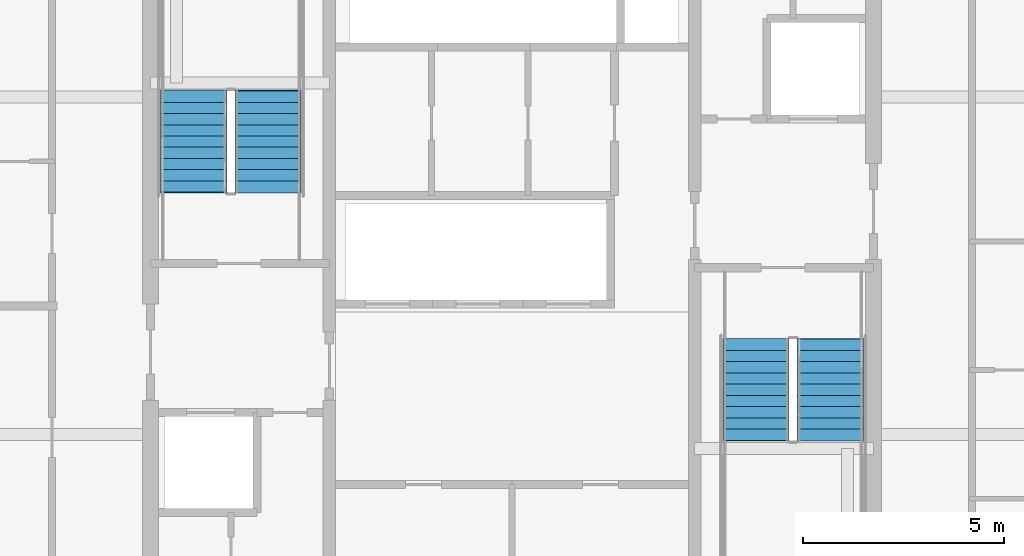
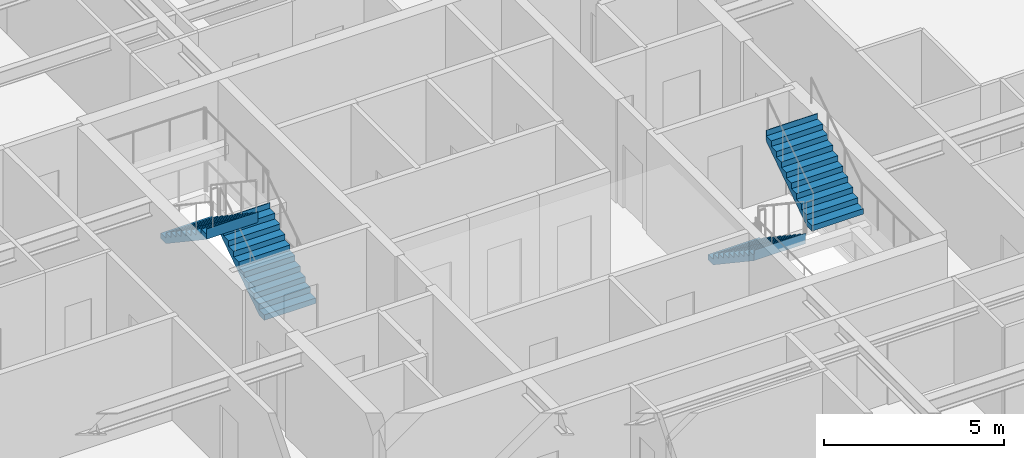
# One storey, part 33 of 38: 4 stair flights, 2 elements without a shape of their own.
"""IFC4 building model written with IfcOpenShell, lengths in metres."""

from ifc_helpers import new_model, si_unit, direction, frame, origin, place, context, subcontext, project, spatial, polygons, material, type_object, element, aggregate, save


model = new_model("IFC4")

# Units and contexts
model_context = context("Model", 3, precision=1e-05, world=origin(), true_north=direction((0.0, 1.0)))
body_context = subcontext(model_context, "Body", "Model", "MODEL_VIEW")
ifc_project = project(units=[si_unit("LENGTHUNIT", "METRE"), si_unit("AREAUNIT", "SQUARE_METRE"), si_unit("VOLUMEUNIT", "CUBIC_METRE"), si_unit("PLANEANGLEUNIT", "RADIAN"), si_unit("MASSUNIT", "GRAM", prefix="KILO")], contexts=[model_context])

# Site, building, storey
site_placement = place(None, origin())
site = spatial("IfcSite", under=ifc_project, at=site_placement, CompositionType="ELEMENT")
building_placement = place(site_placement, origin())
building = spatial("IfcBuilding", under=site, at=building_placement, Name="Serunith Strait Residences", CompositionType="ELEMENT")
storey_placement = place(building_placement, frame((0.0, 0.0, 176.39990234375)))
storey = spatial("IfcBuildingStorey", under=building, at=storey_placement, Name="L44", CompositionType="ELEMENT", Elevation=176.39990234375)

# Stair, stair flights
ifc_material = material(Name="Concrete C50/60", Category="concrete")
stair_type_1 = type_object("IfcStairType", Name="STR-CORE-1", PredefinedType="HALF_TURN_STAIR", material=ifc_material)
stair_1_placement = place(storey_placement, origin())
stair_1 = element("IfcStair", 1, at=stair_1_placement, inside=storey, type_object=stair_type_1, Name="L44 Protected Escape Stair ST-1", PredefinedType="HALF_TURN_STAIR")
stair_flight_type_1 = type_object("IfcStairFlightType", Name="FLT-CORE-1", PredefinedType="STRAIGHT", material=ifc_material)
stair_flight_1_placement = place(storey_placement, frame((26.324951171875, 27.030029296875, 0.0), z_axis=(0.0, 0.0, 1.0), x_axis=(0.0, 1.0, 0.0)))
stair_flight_1 = element("IfcStairFlight", 2, at=stair_flight_1_placement, type_object=stair_flight_type_1, Name="ST-1 flight 1", NumberOfRisers=10, NumberOfTreads=9, PredefinedType="STRAIGHT", RiserHeight=0.1875, TreadLength=0.28, context=body_context, shape_type="Tessellation", body=[
    polygons([(-0.02001953125, -0.824951171875, 0.0), (-0.02001953125, -0.824951171875, 0.1875), (0.280029296875, -0.824951171875, 0.1875), (0.280029296875, -0.824951171875, 0.375), (0.56005859375, -0.824951171875, 0.375), (0.56005859375, -0.824951171875, 0.5625), (0.840087890625, -0.824951171875, 0.5625), (0.840087890625, -0.824951171875, 0.75), (1.1201171875, -0.824951171875, 0.75), (1.1201171875, -0.824951171875, 0.9375), (1.39990234375, -0.824951171875, 0.9375), (1.39990234375, -0.824951171875, 1.125), (1.679931640625, -0.824951171875, 1.125), (1.679931640625, -0.824951171875, 1.3125), (1.9599609375, -0.824951171875, 1.3125), (1.9599609375, -0.824951171875, 1.5), (2.239990234375, -0.824951171875, 1.5), (2.239990234375, -0.824951171875, 1.6875), (2.52001953125, -0.824951171875, 1.6875), (2.52001953125, -0.824951171875, 1.875), (2.5400390625, -0.824951171875, 1.875), (2.5400390625, -0.824951171875, 1.81494140625), (2.52001953125, -0.824951171875, 1.507080078125), (0.26953125, -0.824951171875, 0.0), (-0.02001953125, -0.41259765625, 0.0), (-0.02001953125, -0.41259765625, 0.1875), (0.280029296875, -0.41259765625, 0.1875), (0.280029296875, -0.41259765625, 0.375), (0.56005859375, -0.41259765625, 0.375), (0.56005859375, -0.41259765625, 0.5625), (0.840087890625, -0.41259765625, 0.5625), (0.840087890625, -0.41259765625, 0.75), (1.1201171875, -0.41259765625, 0.75), (1.1201171875, -0.41259765625, 0.9375), (1.39990234375, -0.41259765625, 0.9375), (1.39990234375, -0.41259765625, 1.125), (1.679931640625, -0.41259765625, 1.125), (1.679931640625, -0.41259765625, 1.3125), (1.9599609375, -0.41259765625, 1.3125), (1.9599609375, -0.41259765625, 1.5), (2.239990234375, -0.41259765625, 1.5), (2.239990234375, -0.41259765625, 1.6875), (2.52001953125, -0.41259765625, 1.6875), (2.52001953125, -0.41259765625, 1.875), (2.5400390625, -0.41259765625, 1.875), (2.5400390625, -0.41259765625, 1.81494140625), (2.52001953125, -0.41259765625, 1.507080078125), (0.26953125, -0.41259765625, 0.0), (-0.02001953125, 0.0, 0.0), (-0.02001953125, 0.0, 0.1875), (0.280029296875, 0.0, 0.1875), (0.280029296875, 0.0, 0.375), (0.56005859375, 0.0, 0.375), (0.56005859375, 0.0, 0.5625), (0.840087890625, 0.0, 0.5625), (0.840087890625, 0.0, 0.75), (1.1201171875, 0.0, 0.75), (1.1201171875, 0.0, 0.9375), (1.39990234375, 0.0, 0.9375), (1.39990234375, 0.0, 1.125), (1.679931640625, 0.0, 1.125), (1.679931640625, 0.0, 1.3125), (1.9599609375, 0.0, 1.3125), (1.9599609375, 0.0, 1.5), (2.239990234375, 0.0, 1.5), (2.239990234375, 0.0, 1.6875), (2.52001953125, 0.0, 1.6875), (2.52001953125, 0.0, 1.875), (2.5400390625, 0.0, 1.875), (2.5400390625, 0.0, 1.81494140625), (2.52001953125, 0.0, 1.507080078125), (0.26953125, 0.0, 0.0), (-0.02001953125, 0.41259765625, 0.0), (-0.02001953125, 0.41259765625, 0.1875), (0.280029296875, 0.41259765625, 0.1875), (0.280029296875, 0.41259765625, 0.375), (0.56005859375, 0.41259765625, 0.375), (0.56005859375, 0.41259765625, 0.5625), (0.840087890625, 0.41259765625, 0.5625), (0.840087890625, 0.41259765625, 0.75), (1.1201171875, 0.41259765625, 0.75), (1.1201171875, 0.41259765625, 0.9375), (1.39990234375, 0.41259765625, 0.9375), (1.39990234375, 0.41259765625, 1.125), (1.679931640625, 0.41259765625, 1.125), (1.679931640625, 0.41259765625, 1.3125), (1.9599609375, 0.41259765625, 1.3125), (1.9599609375, 0.41259765625, 1.5), (2.239990234375, 0.41259765625, 1.5), (2.239990234375, 0.41259765625, 1.6875), (2.52001953125, 0.41259765625, 1.6875), (2.52001953125, 0.41259765625, 1.875), (2.5400390625, 0.41259765625, 1.875), (2.5400390625, 0.41259765625, 1.81494140625), (2.52001953125, 0.41259765625, 1.507080078125), (0.26953125, 0.41259765625, 0.0), (-0.02001953125, 0.824951171875, 0.0), (-0.02001953125, 0.824951171875, 0.1875), (0.280029296875, 0.824951171875, 0.1875), (0.280029296875, 0.824951171875, 0.375), (0.56005859375, 0.824951171875, 0.375), (0.56005859375, 0.824951171875, 0.5625), (0.840087890625, 0.824951171875, 0.5625), (0.840087890625, 0.824951171875, 0.75), (1.1201171875, 0.824951171875, 0.75), (1.1201171875, 0.824951171875, 0.9375), (1.39990234375, 0.824951171875, 0.9375), (1.39990234375, 0.824951171875, 1.125), (1.679931640625, 0.824951171875, 1.125), (1.679931640625, 0.824951171875, 1.3125), (1.9599609375, 0.824951171875, 1.3125), (1.9599609375, 0.824951171875, 1.5), (2.239990234375, 0.824951171875, 1.5), (2.239990234375, 0.824951171875, 1.6875), (2.52001953125, 0.824951171875, 1.6875), (2.52001953125, 0.824951171875, 1.875), (2.5400390625, 0.824951171875, 1.875), (2.5400390625, 0.824951171875, 1.81494140625), (2.52001953125, 0.824951171875, 1.507080078125), (0.26953125, 0.824951171875, 0.0)], [[[1, 2, 26, 25]], [[2, 3, 27, 26]], [[3, 4, 28, 27]], [[4, 5, 29, 28]], [[5, 6, 30, 29]], [[6, 7, 31, 30]], [[7, 8, 32, 31]], [[8, 9, 33, 32]], [[9, 10, 34, 33]], [[10, 11, 35, 34]], [[11, 12, 36, 35]], [[12, 13, 37, 36]], [[13, 14, 38, 37]], [[14, 15, 39, 38]], [[15, 16, 40, 39]], [[16, 17, 41, 40]], [[17, 18, 42, 41]], [[18, 19, 43, 42]], [[19, 20, 44, 43]], [[20, 21, 45, 44]], [[21, 22, 46, 45]], [[22, 23, 47, 46]], [[23, 24, 48, 47]], [[24, 1, 25, 48]], [[25, 26, 50, 49]], [[26, 27, 51, 50]], [[27, 28, 52, 51]], [[28, 29, 53, 52]], [[29, 30, 54, 53]], [[30, 31, 55, 54]], [[31, 32, 56, 55]], [[32, 33, 57, 56]], [[33, 34, 58, 57]], [[34, 35, 59, 58]], [[35, 36, 60, 59]], [[36, 37, 61, 60]], [[37, 38, 62, 61]], [[38, 39, 63, 62]], [[39, 40, 64, 63]], [[40, 41, 65, 64]], [[41, 42, 66, 65]], [[42, 43, 67, 66]], [[43, 44, 68, 67]], [[44, 45, 69, 68]], [[45, 46, 70, 69]], [[46, 47, 71, 70]], [[47, 48, 72, 71]], [[48, 25, 49, 72]], [[49, 50, 74, 73]], [[50, 51, 75, 74]], [[51, 52, 76, 75]], [[52, 53, 77, 76]], [[53, 54, 78, 77]], [[54, 55, 79, 78]], [[55, 56, 80, 79]], [[56, 57, 81, 80]], [[57, 58, 82, 81]], [[58, 59, 83, 82]], [[59, 60, 84, 83]], [[60, 61, 85, 84]], [[61, 62, 86, 85]], [[62, 63, 87, 86]], [[63, 64, 88, 87]], [[64, 65, 89, 88]], [[65, 66, 90, 89]], [[66, 67, 91, 90]], [[67, 68, 92, 91]], [[68, 69, 93, 92]], [[69, 70, 94, 93]], [[70, 71, 95, 94]], [[71, 72, 96, 95]], [[72, 49, 73, 96]], [[73, 74, 98, 97]], [[74, 75, 99, 98]], [[75, 76, 100, 99]], [[76, 77, 101, 100]], [[77, 78, 102, 101]], [[78, 79, 103, 102]], [[79, 80, 104, 103]], [[80, 81, 105, 104]], [[81, 82, 106, 105]], [[82, 83, 107, 106]], [[83, 84, 108, 107]], [[84, 85, 109, 108]], [[85, 86, 110, 109]], [[86, 87, 111, 110]], [[87, 88, 112, 111]], [[88, 89, 113, 112]], [[89, 90, 114, 113]], [[90, 91, 115, 114]], [[91, 92, 116, 115]], [[92, 93, 117, 116]], [[93, 94, 118, 117]], [[94, 95, 119, 118]], [[95, 96, 120, 119]], [[96, 73, 97, 120]], [[24, 23, 22, 21, 20, 19, 18, 17, 16, 15, 14, 13, 12, 11, 10, 9, 8, 7, 6, 5, 4, 3, 2, 1]], [[97, 98, 99, 100, 101, 102, 103, 104, 105, 106, 107, 108, 109, 110, 111, 112, 113, 114, 115, 116, 117, 118, 119, 120]]], closed=True),
])
stair_flight_2_placement = place(storey_placement, frame((24.47509765625, 29.550048828125, 1.875), z_axis=(0.0, 0.0, 1.0), x_axis=(0.0, -1.0, 0.0)))
stair_flight_2 = element("IfcStairFlight", 3, at=stair_flight_2_placement, type_object=stair_flight_type_1, Name="ST-1 flight 2", NumberOfRisers=10, NumberOfTreads=9, PredefinedType="STRAIGHT", RiserHeight=0.1875, TreadLength=0.28, context=body_context, shape_type="Tessellation", body=[
    polygons([(-0.02001953125, -0.824951171875, 0.0), (-0.02001953125, -0.824951171875, 0.1875), (0.280029296875, -0.824951171875, 0.1875), (0.280029296875, -0.824951171875, 0.375), (0.56005859375, -0.824951171875, 0.375), (0.56005859375, -0.824951171875, 0.5625), (0.840087890625, -0.824951171875, 0.5625), (0.840087890625, -0.824951171875, 0.75), (1.1201171875, -0.824951171875, 0.75), (1.1201171875, -0.824951171875, 0.9375), (1.39990234375, -0.824951171875, 0.9375), (1.39990234375, -0.824951171875, 1.125), (1.679931640625, -0.824951171875, 1.125), (1.679931640625, -0.824951171875, 1.3125), (1.9599609375, -0.824951171875, 1.3125), (1.9599609375, -0.824951171875, 1.5), (2.239990234375, -0.824951171875, 1.5), (2.239990234375, -0.824951171875, 1.6875), (2.52001953125, -0.824951171875, 1.6875), (2.52001953125, -0.824951171875, 1.875), (2.5400390625, -0.824951171875, 1.875), (2.5400390625, -0.824951171875, 1.81494140625), (2.52001953125, -0.824951171875, 1.507080078125), (0.26953125, -0.824951171875, 0.0), (-0.02001953125, -0.41259765625, 0.0), (-0.02001953125, -0.41259765625, 0.1875), (0.280029296875, -0.41259765625, 0.1875), (0.280029296875, -0.41259765625, 0.375), (0.56005859375, -0.41259765625, 0.375), (0.56005859375, -0.41259765625, 0.5625), (0.840087890625, -0.41259765625, 0.5625), (0.840087890625, -0.41259765625, 0.75), (1.1201171875, -0.41259765625, 0.75), (1.1201171875, -0.41259765625, 0.9375), (1.39990234375, -0.41259765625, 0.9375), (1.39990234375, -0.41259765625, 1.125), (1.679931640625, -0.41259765625, 1.125), (1.679931640625, -0.41259765625, 1.3125), (1.9599609375, -0.41259765625, 1.3125), (1.9599609375, -0.41259765625, 1.5), (2.239990234375, -0.41259765625, 1.5), (2.239990234375, -0.41259765625, 1.6875), (2.52001953125, -0.41259765625, 1.6875), (2.52001953125, -0.41259765625, 1.875), (2.5400390625, -0.41259765625, 1.875), (2.5400390625, -0.41259765625, 1.81494140625), (2.52001953125, -0.41259765625, 1.507080078125), (0.26953125, -0.41259765625, 0.0), (-0.02001953125, 0.0, 0.0), (-0.02001953125, 0.0, 0.1875), (0.280029296875, 0.0, 0.1875), (0.280029296875, 0.0, 0.375), (0.56005859375, 0.0, 0.375), (0.56005859375, 0.0, 0.5625), (0.840087890625, 0.0, 0.5625), (0.840087890625, 0.0, 0.75), (1.1201171875, 0.0, 0.75), (1.1201171875, 0.0, 0.9375), (1.39990234375, 0.0, 0.9375), (1.39990234375, 0.0, 1.125), (1.679931640625, 0.0, 1.125), (1.679931640625, 0.0, 1.3125), (1.9599609375, 0.0, 1.3125), (1.9599609375, 0.0, 1.5), (2.239990234375, 0.0, 1.5), (2.239990234375, 0.0, 1.6875), (2.52001953125, 0.0, 1.6875), (2.52001953125, 0.0, 1.875), (2.5400390625, 0.0, 1.875), (2.5400390625, 0.0, 1.81494140625), (2.52001953125, 0.0, 1.507080078125), (0.26953125, 0.0, 0.0), (-0.02001953125, 0.41259765625, 0.0), (-0.02001953125, 0.41259765625, 0.1875), (0.280029296875, 0.41259765625, 0.1875), (0.280029296875, 0.41259765625, 0.375), (0.56005859375, 0.41259765625, 0.375), (0.56005859375, 0.41259765625, 0.5625), (0.840087890625, 0.41259765625, 0.5625), (0.840087890625, 0.41259765625, 0.75), (1.1201171875, 0.41259765625, 0.75), (1.1201171875, 0.41259765625, 0.9375), (1.39990234375, 0.41259765625, 0.9375), (1.39990234375, 0.41259765625, 1.125), (1.679931640625, 0.41259765625, 1.125), (1.679931640625, 0.41259765625, 1.3125), (1.9599609375, 0.41259765625, 1.3125), (1.9599609375, 0.41259765625, 1.5), (2.239990234375, 0.41259765625, 1.5), (2.239990234375, 0.41259765625, 1.6875), (2.52001953125, 0.41259765625, 1.6875), (2.52001953125, 0.41259765625, 1.875), (2.5400390625, 0.41259765625, 1.875), (2.5400390625, 0.41259765625, 1.81494140625), (2.52001953125, 0.41259765625, 1.507080078125), (0.26953125, 0.41259765625, 0.0), (-0.02001953125, 0.824951171875, 0.0), (-0.02001953125, 0.824951171875, 0.1875), (0.280029296875, 0.824951171875, 0.1875), (0.280029296875, 0.824951171875, 0.375), (0.56005859375, 0.824951171875, 0.375), (0.56005859375, 0.824951171875, 0.5625), (0.840087890625, 0.824951171875, 0.5625), (0.840087890625, 0.824951171875, 0.75), (1.1201171875, 0.824951171875, 0.75), (1.1201171875, 0.824951171875, 0.9375), (1.39990234375, 0.824951171875, 0.9375), (1.39990234375, 0.824951171875, 1.125), (1.679931640625, 0.824951171875, 1.125), (1.679931640625, 0.824951171875, 1.3125), (1.9599609375, 0.824951171875, 1.3125), (1.9599609375, 0.824951171875, 1.5), (2.239990234375, 0.824951171875, 1.5), (2.239990234375, 0.824951171875, 1.6875), (2.52001953125, 0.824951171875, 1.6875), (2.52001953125, 0.824951171875, 1.875), (2.5400390625, 0.824951171875, 1.875), (2.5400390625, 0.824951171875, 1.81494140625), (2.52001953125, 0.824951171875, 1.507080078125), (0.26953125, 0.824951171875, 0.0)], [[[1, 2, 26, 25]], [[2, 3, 27, 26]], [[3, 4, 28, 27]], [[4, 5, 29, 28]], [[5, 6, 30, 29]], [[6, 7, 31, 30]], [[7, 8, 32, 31]], [[8, 9, 33, 32]], [[9, 10, 34, 33]], [[10, 11, 35, 34]], [[11, 12, 36, 35]], [[12, 13, 37, 36]], [[13, 14, 38, 37]], [[14, 15, 39, 38]], [[15, 16, 40, 39]], [[16, 17, 41, 40]], [[17, 18, 42, 41]], [[18, 19, 43, 42]], [[19, 20, 44, 43]], [[20, 21, 45, 44]], [[21, 22, 46, 45]], [[22, 23, 47, 46]], [[23, 24, 48, 47]], [[24, 1, 25, 48]], [[25, 26, 50, 49]], [[26, 27, 51, 50]], [[27, 28, 52, 51]], [[28, 29, 53, 52]], [[29, 30, 54, 53]], [[30, 31, 55, 54]], [[31, 32, 56, 55]], [[32, 33, 57, 56]], [[33, 34, 58, 57]], [[34, 35, 59, 58]], [[35, 36, 60, 59]], [[36, 37, 61, 60]], [[37, 38, 62, 61]], [[38, 39, 63, 62]], [[39, 40, 64, 63]], [[40, 41, 65, 64]], [[41, 42, 66, 65]], [[42, 43, 67, 66]], [[43, 44, 68, 67]], [[44, 45, 69, 68]], [[45, 46, 70, 69]], [[46, 47, 71, 70]], [[47, 48, 72, 71]], [[48, 25, 49, 72]], [[49, 50, 74, 73]], [[50, 51, 75, 74]], [[51, 52, 76, 75]], [[52, 53, 77, 76]], [[53, 54, 78, 77]], [[54, 55, 79, 78]], [[55, 56, 80, 79]], [[56, 57, 81, 80]], [[57, 58, 82, 81]], [[58, 59, 83, 82]], [[59, 60, 84, 83]], [[60, 61, 85, 84]], [[61, 62, 86, 85]], [[62, 63, 87, 86]], [[63, 64, 88, 87]], [[64, 65, 89, 88]], [[65, 66, 90, 89]], [[66, 67, 91, 90]], [[67, 68, 92, 91]], [[68, 69, 93, 92]], [[69, 70, 94, 93]], [[70, 71, 95, 94]], [[71, 72, 96, 95]], [[72, 49, 73, 96]], [[73, 74, 98, 97]], [[74, 75, 99, 98]], [[75, 76, 100, 99]], [[76, 77, 101, 100]], [[77, 78, 102, 101]], [[78, 79, 103, 102]], [[79, 80, 104, 103]], [[80, 81, 105, 104]], [[81, 82, 106, 105]], [[82, 83, 107, 106]], [[83, 84, 108, 107]], [[84, 85, 109, 108]], [[85, 86, 110, 109]], [[86, 87, 111, 110]], [[87, 88, 112, 111]], [[88, 89, 113, 112]], [[89, 90, 114, 113]], [[90, 91, 115, 114]], [[91, 92, 116, 115]], [[92, 93, 117, 116]], [[93, 94, 118, 117]], [[94, 95, 119, 118]], [[95, 96, 120, 119]], [[96, 73, 97, 120]], [[24, 23, 22, 21, 20, 19, 18, 17, 16, 15, 14, 13, 12, 11, 10, 9, 8, 7, 6, 5, 4, 3, 2, 1]], [[97, 98, 99, 100, 101, 102, 103, 104, 105, 106, 107, 108, 109, 110, 111, 112, 113, 114, 115, 116, 117, 118, 119, 120]]], closed=True),
])
aggregate(stair_1, [stair_flight_1, stair_flight_2])

stair_type_2 = type_object("IfcStairType", Name="STR-CORE-2", PredefinedType="HALF_TURN_STAIR", material=ifc_material)
stair_2_placement = place(storey_placement, origin())
stair_2 = element("IfcStair", 4, at=stair_2_placement, inside=storey, type_object=stair_type_2, Name="L44 Protected Escape Stair ST-2", PredefinedType="HALF_TURN_STAIR")
stair_flight_type_2 = type_object("IfcStairFlightType", Name="FLT-CORE-2", PredefinedType="STRAIGHT", material=ifc_material)
stair_flight_3_placement = place(storey_placement, frame((38.47509765625, 23.3701171875, 0.0), z_axis=(0.0, 0.0, 1.0), x_axis=(0.0, -1.0, 0.0)))
stair_flight_3 = element("IfcStairFlight", 5, at=stair_flight_3_placement, type_object=stair_flight_type_2, Name="ST-2 flight 1", NumberOfRisers=10, NumberOfTreads=9, PredefinedType="STRAIGHT", RiserHeight=0.1875, TreadLength=0.28, context=body_context, shape_type="Tessellation", body=[
    polygons([(-0.02001953125, -0.824951171875, 0.0), (-0.02001953125, -0.824951171875, 0.1875), (0.280029296875, -0.824951171875, 0.1875), (0.280029296875, -0.824951171875, 0.375), (0.56005859375, -0.824951171875, 0.375), (0.56005859375, -0.824951171875, 0.5625), (0.840087890625, -0.824951171875, 0.5625), (0.840087890625, -0.824951171875, 0.75), (1.1201171875, -0.824951171875, 0.75), (1.1201171875, -0.824951171875, 0.9375), (1.39990234375, -0.824951171875, 0.9375), (1.39990234375, -0.824951171875, 1.125), (1.679931640625, -0.824951171875, 1.125), (1.679931640625, -0.824951171875, 1.3125), (1.9599609375, -0.824951171875, 1.3125), (1.9599609375, -0.824951171875, 1.5), (2.239990234375, -0.824951171875, 1.5), (2.239990234375, -0.824951171875, 1.6875), (2.52001953125, -0.824951171875, 1.6875), (2.52001953125, -0.824951171875, 1.875), (2.5400390625, -0.824951171875, 1.875), (2.5400390625, -0.824951171875, 1.81494140625), (2.52001953125, -0.824951171875, 1.507080078125), (0.26953125, -0.824951171875, 0.0), (-0.02001953125, -0.41259765625, 0.0), (-0.02001953125, -0.41259765625, 0.1875), (0.280029296875, -0.41259765625, 0.1875), (0.280029296875, -0.41259765625, 0.375), (0.56005859375, -0.41259765625, 0.375), (0.56005859375, -0.41259765625, 0.5625), (0.840087890625, -0.41259765625, 0.5625), (0.840087890625, -0.41259765625, 0.75), (1.1201171875, -0.41259765625, 0.75), (1.1201171875, -0.41259765625, 0.9375), (1.39990234375, -0.41259765625, 0.9375), (1.39990234375, -0.41259765625, 1.125), (1.679931640625, -0.41259765625, 1.125), (1.679931640625, -0.41259765625, 1.3125), (1.9599609375, -0.41259765625, 1.3125), (1.9599609375, -0.41259765625, 1.5), (2.239990234375, -0.41259765625, 1.5), (2.239990234375, -0.41259765625, 1.6875), (2.52001953125, -0.41259765625, 1.6875), (2.52001953125, -0.41259765625, 1.875), (2.5400390625, -0.41259765625, 1.875), (2.5400390625, -0.41259765625, 1.81494140625), (2.52001953125, -0.41259765625, 1.507080078125), (0.26953125, -0.41259765625, 0.0), (-0.02001953125, 0.0, 0.0), (-0.02001953125, 0.0, 0.1875), (0.280029296875, 0.0, 0.1875), (0.280029296875, 0.0, 0.375), (0.56005859375, 0.0, 0.375), (0.56005859375, 0.0, 0.5625), (0.840087890625, 0.0, 0.5625), (0.840087890625, 0.0, 0.75), (1.1201171875, 0.0, 0.75), (1.1201171875, 0.0, 0.9375), (1.39990234375, 0.0, 0.9375), (1.39990234375, 0.0, 1.125), (1.679931640625, 0.0, 1.125), (1.679931640625, 0.0, 1.3125), (1.9599609375, 0.0, 1.3125), (1.9599609375, 0.0, 1.5), (2.239990234375, 0.0, 1.5), (2.239990234375, 0.0, 1.6875), (2.52001953125, 0.0, 1.6875), (2.52001953125, 0.0, 1.875), (2.5400390625, 0.0, 1.875), (2.5400390625, 0.0, 1.81494140625), (2.52001953125, 0.0, 1.507080078125), (0.26953125, 0.0, 0.0), (-0.02001953125, 0.41259765625, 0.0), (-0.02001953125, 0.41259765625, 0.1875), (0.280029296875, 0.41259765625, 0.1875), (0.280029296875, 0.41259765625, 0.375), (0.56005859375, 0.41259765625, 0.375), (0.56005859375, 0.41259765625, 0.5625), (0.840087890625, 0.41259765625, 0.5625), (0.840087890625, 0.41259765625, 0.75), (1.1201171875, 0.41259765625, 0.75), (1.1201171875, 0.41259765625, 0.9375), (1.39990234375, 0.41259765625, 0.9375), (1.39990234375, 0.41259765625, 1.125), (1.679931640625, 0.41259765625, 1.125), (1.679931640625, 0.41259765625, 1.3125), (1.9599609375, 0.41259765625, 1.3125), (1.9599609375, 0.41259765625, 1.5), (2.239990234375, 0.41259765625, 1.5), (2.239990234375, 0.41259765625, 1.6875), (2.52001953125, 0.41259765625, 1.6875), (2.52001953125, 0.41259765625, 1.875), (2.5400390625, 0.41259765625, 1.875), (2.5400390625, 0.41259765625, 1.81494140625), (2.52001953125, 0.41259765625, 1.507080078125), (0.26953125, 0.41259765625, 0.0), (-0.02001953125, 0.824951171875, 0.0), (-0.02001953125, 0.824951171875, 0.1875), (0.280029296875, 0.824951171875, 0.1875), (0.280029296875, 0.824951171875, 0.375), (0.56005859375, 0.824951171875, 0.375), (0.56005859375, 0.824951171875, 0.5625), (0.840087890625, 0.824951171875, 0.5625), (0.840087890625, 0.824951171875, 0.75), (1.1201171875, 0.824951171875, 0.75), (1.1201171875, 0.824951171875, 0.9375), (1.39990234375, 0.824951171875, 0.9375), (1.39990234375, 0.824951171875, 1.125), (1.679931640625, 0.824951171875, 1.125), (1.679931640625, 0.824951171875, 1.3125), (1.9599609375, 0.824951171875, 1.3125), (1.9599609375, 0.824951171875, 1.5), (2.239990234375, 0.824951171875, 1.5), (2.239990234375, 0.824951171875, 1.6875), (2.52001953125, 0.824951171875, 1.6875), (2.52001953125, 0.824951171875, 1.875), (2.5400390625, 0.824951171875, 1.875), (2.5400390625, 0.824951171875, 1.81494140625), (2.52001953125, 0.824951171875, 1.507080078125), (0.26953125, 0.824951171875, 0.0)], [[[1, 2, 26, 25]], [[2, 3, 27, 26]], [[3, 4, 28, 27]], [[4, 5, 29, 28]], [[5, 6, 30, 29]], [[6, 7, 31, 30]], [[7, 8, 32, 31]], [[8, 9, 33, 32]], [[9, 10, 34, 33]], [[10, 11, 35, 34]], [[11, 12, 36, 35]], [[12, 13, 37, 36]], [[13, 14, 38, 37]], [[14, 15, 39, 38]], [[15, 16, 40, 39]], [[16, 17, 41, 40]], [[17, 18, 42, 41]], [[18, 19, 43, 42]], [[19, 20, 44, 43]], [[20, 21, 45, 44]], [[21, 22, 46, 45]], [[22, 23, 47, 46]], [[23, 24, 48, 47]], [[24, 1, 25, 48]], [[25, 26, 50, 49]], [[26, 27, 51, 50]], [[27, 28, 52, 51]], [[28, 29, 53, 52]], [[29, 30, 54, 53]], [[30, 31, 55, 54]], [[31, 32, 56, 55]], [[32, 33, 57, 56]], [[33, 34, 58, 57]], [[34, 35, 59, 58]], [[35, 36, 60, 59]], [[36, 37, 61, 60]], [[37, 38, 62, 61]], [[38, 39, 63, 62]], [[39, 40, 64, 63]], [[40, 41, 65, 64]], [[41, 42, 66, 65]], [[42, 43, 67, 66]], [[43, 44, 68, 67]], [[44, 45, 69, 68]], [[45, 46, 70, 69]], [[46, 47, 71, 70]], [[47, 48, 72, 71]], [[48, 25, 49, 72]], [[49, 50, 74, 73]], [[50, 51, 75, 74]], [[51, 52, 76, 75]], [[52, 53, 77, 76]], [[53, 54, 78, 77]], [[54, 55, 79, 78]], [[55, 56, 80, 79]], [[56, 57, 81, 80]], [[57, 58, 82, 81]], [[58, 59, 83, 82]], [[59, 60, 84, 83]], [[60, 61, 85, 84]], [[61, 62, 86, 85]], [[62, 63, 87, 86]], [[63, 64, 88, 87]], [[64, 65, 89, 88]], [[65, 66, 90, 89]], [[66, 67, 91, 90]], [[67, 68, 92, 91]], [[68, 69, 93, 92]], [[69, 70, 94, 93]], [[70, 71, 95, 94]], [[71, 72, 96, 95]], [[72, 49, 73, 96]], [[73, 74, 98, 97]], [[74, 75, 99, 98]], [[75, 76, 100, 99]], [[76, 77, 101, 100]], [[77, 78, 102, 101]], [[78, 79, 103, 102]], [[79, 80, 104, 103]], [[80, 81, 105, 104]], [[81, 82, 106, 105]], [[82, 83, 107, 106]], [[83, 84, 108, 107]], [[84, 85, 109, 108]], [[85, 86, 110, 109]], [[86, 87, 111, 110]], [[87, 88, 112, 111]], [[88, 89, 113, 112]], [[89, 90, 114, 113]], [[90, 91, 115, 114]], [[91, 92, 116, 115]], [[92, 93, 117, 116]], [[93, 94, 118, 117]], [[94, 95, 119, 118]], [[95, 96, 120, 119]], [[96, 73, 97, 120]], [[24, 23, 22, 21, 20, 19, 18, 17, 16, 15, 14, 13, 12, 11, 10, 9, 8, 7, 6, 5, 4, 3, 2, 1]], [[97, 98, 99, 100, 101, 102, 103, 104, 105, 106, 107, 108, 109, 110, 111, 112, 113, 114, 115, 116, 117, 118, 119, 120]]], closed=True),
])
stair_flight_4_placement = place(storey_placement, frame((40.324951171875, 20.85009765625, 1.875), z_axis=(0.0, 0.0, 1.0), x_axis=(0.0, 1.0, 0.0)))
stair_flight_4 = element("IfcStairFlight", 6, at=stair_flight_4_placement, type_object=stair_flight_type_2, Name="ST-2 flight 2", NumberOfRisers=10, NumberOfTreads=9, PredefinedType="STRAIGHT", RiserHeight=0.1875, TreadLength=0.28, context=body_context, shape_type="Tessellation", body=[
    polygons([(-0.02001953125, -0.824951171875, 0.0), (-0.02001953125, -0.824951171875, 0.1875), (0.280029296875, -0.824951171875, 0.1875), (0.280029296875, -0.824951171875, 0.375), (0.56005859375, -0.824951171875, 0.375), (0.56005859375, -0.824951171875, 0.5625), (0.840087890625, -0.824951171875, 0.5625), (0.840087890625, -0.824951171875, 0.75), (1.1201171875, -0.824951171875, 0.75), (1.1201171875, -0.824951171875, 0.9375), (1.39990234375, -0.824951171875, 0.9375), (1.39990234375, -0.824951171875, 1.125), (1.679931640625, -0.824951171875, 1.125), (1.679931640625, -0.824951171875, 1.3125), (1.9599609375, -0.824951171875, 1.3125), (1.9599609375, -0.824951171875, 1.5), (2.239990234375, -0.824951171875, 1.5), (2.239990234375, -0.824951171875, 1.6875), (2.52001953125, -0.824951171875, 1.6875), (2.52001953125, -0.824951171875, 1.875), (2.5400390625, -0.824951171875, 1.875), (2.5400390625, -0.824951171875, 1.81494140625), (2.52001953125, -0.824951171875, 1.507080078125), (0.26953125, -0.824951171875, 0.0), (-0.02001953125, -0.41259765625, 0.0), (-0.02001953125, -0.41259765625, 0.1875), (0.280029296875, -0.41259765625, 0.1875), (0.280029296875, -0.41259765625, 0.375), (0.56005859375, -0.41259765625, 0.375), (0.56005859375, -0.41259765625, 0.5625), (0.840087890625, -0.41259765625, 0.5625), (0.840087890625, -0.41259765625, 0.75), (1.1201171875, -0.41259765625, 0.75), (1.1201171875, -0.41259765625, 0.9375), (1.39990234375, -0.41259765625, 0.9375), (1.39990234375, -0.41259765625, 1.125), (1.679931640625, -0.41259765625, 1.125), (1.679931640625, -0.41259765625, 1.3125), (1.9599609375, -0.41259765625, 1.3125), (1.9599609375, -0.41259765625, 1.5), (2.239990234375, -0.41259765625, 1.5), (2.239990234375, -0.41259765625, 1.6875), (2.52001953125, -0.41259765625, 1.6875), (2.52001953125, -0.41259765625, 1.875), (2.5400390625, -0.41259765625, 1.875), (2.5400390625, -0.41259765625, 1.81494140625), (2.52001953125, -0.41259765625, 1.507080078125), (0.26953125, -0.41259765625, 0.0), (-0.02001953125, 0.0, 0.0), (-0.02001953125, 0.0, 0.1875), (0.280029296875, 0.0, 0.1875), (0.280029296875, 0.0, 0.375), (0.56005859375, 0.0, 0.375), (0.56005859375, 0.0, 0.5625), (0.840087890625, 0.0, 0.5625), (0.840087890625, 0.0, 0.75), (1.1201171875, 0.0, 0.75), (1.1201171875, 0.0, 0.9375), (1.39990234375, 0.0, 0.9375), (1.39990234375, 0.0, 1.125), (1.679931640625, 0.0, 1.125), (1.679931640625, 0.0, 1.3125), (1.9599609375, 0.0, 1.3125), (1.9599609375, 0.0, 1.5), (2.239990234375, 0.0, 1.5), (2.239990234375, 0.0, 1.6875), (2.52001953125, 0.0, 1.6875), (2.52001953125, 0.0, 1.875), (2.5400390625, 0.0, 1.875), (2.5400390625, 0.0, 1.81494140625), (2.52001953125, 0.0, 1.507080078125), (0.26953125, 0.0, 0.0), (-0.02001953125, 0.41259765625, 0.0), (-0.02001953125, 0.41259765625, 0.1875), (0.280029296875, 0.41259765625, 0.1875), (0.280029296875, 0.41259765625, 0.375), (0.56005859375, 0.41259765625, 0.375), (0.56005859375, 0.41259765625, 0.5625), (0.840087890625, 0.41259765625, 0.5625), (0.840087890625, 0.41259765625, 0.75), (1.1201171875, 0.41259765625, 0.75), (1.1201171875, 0.41259765625, 0.9375), (1.39990234375, 0.41259765625, 0.9375), (1.39990234375, 0.41259765625, 1.125), (1.679931640625, 0.41259765625, 1.125), (1.679931640625, 0.41259765625, 1.3125), (1.9599609375, 0.41259765625, 1.3125), (1.9599609375, 0.41259765625, 1.5), (2.239990234375, 0.41259765625, 1.5), (2.239990234375, 0.41259765625, 1.6875), (2.52001953125, 0.41259765625, 1.6875), (2.52001953125, 0.41259765625, 1.875), (2.5400390625, 0.41259765625, 1.875), (2.5400390625, 0.41259765625, 1.81494140625), (2.52001953125, 0.41259765625, 1.507080078125), (0.26953125, 0.41259765625, 0.0), (-0.02001953125, 0.824951171875, 0.0), (-0.02001953125, 0.824951171875, 0.1875), (0.280029296875, 0.824951171875, 0.1875), (0.280029296875, 0.824951171875, 0.375), (0.56005859375, 0.824951171875, 0.375), (0.56005859375, 0.824951171875, 0.5625), (0.840087890625, 0.824951171875, 0.5625), (0.840087890625, 0.824951171875, 0.75), (1.1201171875, 0.824951171875, 0.75), (1.1201171875, 0.824951171875, 0.9375), (1.39990234375, 0.824951171875, 0.9375), (1.39990234375, 0.824951171875, 1.125), (1.679931640625, 0.824951171875, 1.125), (1.679931640625, 0.824951171875, 1.3125), (1.9599609375, 0.824951171875, 1.3125), (1.9599609375, 0.824951171875, 1.5), (2.239990234375, 0.824951171875, 1.5), (2.239990234375, 0.824951171875, 1.6875), (2.52001953125, 0.824951171875, 1.6875), (2.52001953125, 0.824951171875, 1.875), (2.5400390625, 0.824951171875, 1.875), (2.5400390625, 0.824951171875, 1.81494140625), (2.52001953125, 0.824951171875, 1.507080078125), (0.26953125, 0.824951171875, 0.0)], [[[1, 2, 26, 25]], [[2, 3, 27, 26]], [[3, 4, 28, 27]], [[4, 5, 29, 28]], [[5, 6, 30, 29]], [[6, 7, 31, 30]], [[7, 8, 32, 31]], [[8, 9, 33, 32]], [[9, 10, 34, 33]], [[10, 11, 35, 34]], [[11, 12, 36, 35]], [[12, 13, 37, 36]], [[13, 14, 38, 37]], [[14, 15, 39, 38]], [[15, 16, 40, 39]], [[16, 17, 41, 40]], [[17, 18, 42, 41]], [[18, 19, 43, 42]], [[19, 20, 44, 43]], [[20, 21, 45, 44]], [[21, 22, 46, 45]], [[22, 23, 47, 46]], [[23, 24, 48, 47]], [[24, 1, 25, 48]], [[25, 26, 50, 49]], [[26, 27, 51, 50]], [[27, 28, 52, 51]], [[28, 29, 53, 52]], [[29, 30, 54, 53]], [[30, 31, 55, 54]], [[31, 32, 56, 55]], [[32, 33, 57, 56]], [[33, 34, 58, 57]], [[34, 35, 59, 58]], [[35, 36, 60, 59]], [[36, 37, 61, 60]], [[37, 38, 62, 61]], [[38, 39, 63, 62]], [[39, 40, 64, 63]], [[40, 41, 65, 64]], [[41, 42, 66, 65]], [[42, 43, 67, 66]], [[43, 44, 68, 67]], [[44, 45, 69, 68]], [[45, 46, 70, 69]], [[46, 47, 71, 70]], [[47, 48, 72, 71]], [[48, 25, 49, 72]], [[49, 50, 74, 73]], [[50, 51, 75, 74]], [[51, 52, 76, 75]], [[52, 53, 77, 76]], [[53, 54, 78, 77]], [[54, 55, 79, 78]], [[55, 56, 80, 79]], [[56, 57, 81, 80]], [[57, 58, 82, 81]], [[58, 59, 83, 82]], [[59, 60, 84, 83]], [[60, 61, 85, 84]], [[61, 62, 86, 85]], [[62, 63, 87, 86]], [[63, 64, 88, 87]], [[64, 65, 89, 88]], [[65, 66, 90, 89]], [[66, 67, 91, 90]], [[67, 68, 92, 91]], [[68, 69, 93, 92]], [[69, 70, 94, 93]], [[70, 71, 95, 94]], [[71, 72, 96, 95]], [[72, 49, 73, 96]], [[73, 74, 98, 97]], [[74, 75, 99, 98]], [[75, 76, 100, 99]], [[76, 77, 101, 100]], [[77, 78, 102, 101]], [[78, 79, 103, 102]], [[79, 80, 104, 103]], [[80, 81, 105, 104]], [[81, 82, 106, 105]], [[82, 83, 107, 106]], [[83, 84, 108, 107]], [[84, 85, 109, 108]], [[85, 86, 110, 109]], [[86, 87, 111, 110]], [[87, 88, 112, 111]], [[88, 89, 113, 112]], [[89, 90, 114, 113]], [[90, 91, 115, 114]], [[91, 92, 116, 115]], [[92, 93, 117, 116]], [[93, 94, 118, 117]], [[94, 95, 119, 118]], [[95, 96, 120, 119]], [[96, 73, 97, 120]], [[24, 23, 22, 21, 20, 19, 18, 17, 16, 15, 14, 13, 12, 11, 10, 9, 8, 7, 6, 5, 4, 3, 2, 1]], [[97, 98, 99, 100, 101, 102, 103, 104, 105, 106, 107, 108, 109, 110, 111, 112, 113, 114, 115, 116, 117, 118, 119, 120]]], closed=True),
])
aggregate(stair_2, [stair_flight_3, stair_flight_4])

save(model, "model.ifc")
